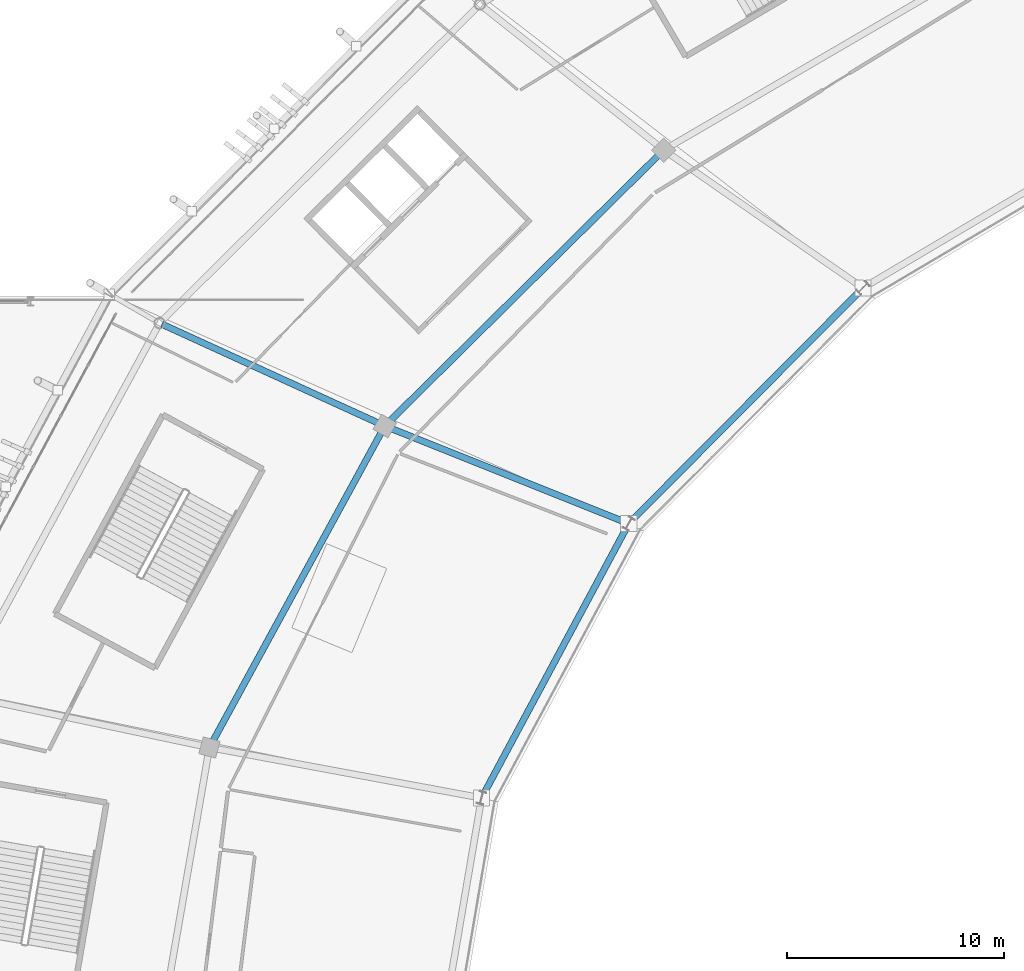
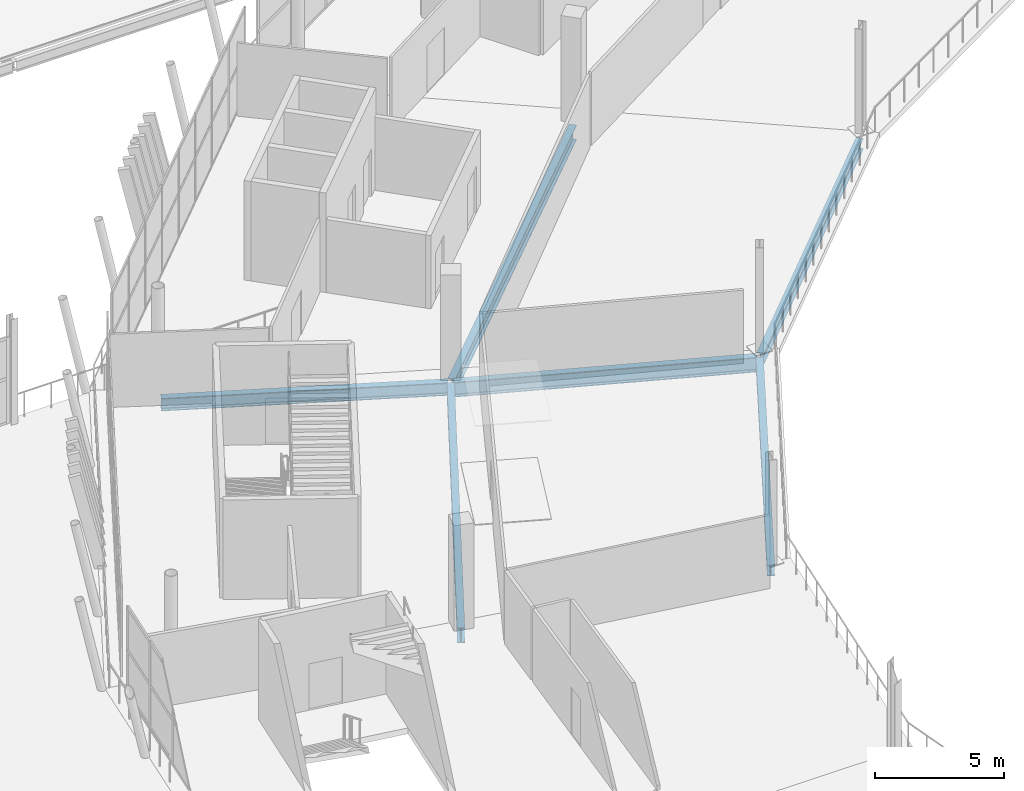
# One storey, part 46 of 179: 6 beams.
"""IFC4 building model written with IfcOpenShell, lengths in metres."""

from ifc_helpers import new_model, si_unit, direction, frame, origin, origin_2d, place, context, subcontext, project, spatial, i_section, extrude, material, material_profile, profile_set, type_object, element, save


model = new_model("IFC4")

# Units and contexts
model_context = context("Model", 3, precision=1e-05, world=origin(), true_north=direction((0.0, 1.0)))
body_context = subcontext(model_context, "Body", "Model", "MODEL_VIEW")
ifc_project = project(units=[si_unit("LENGTHUNIT", "METRE"), si_unit("AREAUNIT", "SQUARE_METRE"), si_unit("VOLUMEUNIT", "CUBIC_METRE"), si_unit("PLANEANGLEUNIT", "RADIAN"), si_unit("MASSUNIT", "GRAM", prefix="KILO")], contexts=[model_context])

# Site, building, storey
site_placement = place(None, origin())
site = spatial("IfcSite", under=ifc_project, at=site_placement, CompositionType="ELEMENT")
building_placement = place(site_placement, origin())
building = spatial("IfcBuilding", under=site, at=building_placement, Name="Zlatoyarsky Gate Stadium", CompositionType="ELEMENT")
storey_placement = place(building_placement, frame((0.0, 0.0, 10.60009765625)))
storey = spatial("IfcBuildingStorey", under=building, at=storey_placement, Name="L02", CompositionType="ELEMENT", Elevation=10.60009765625)

# Beams
ifc_material = material(Name="Steel S355", Category="steel")
ifc_material_profile_1 = material_profile(ifc_material, i_section(OverallWidth=0.300048828125, OverallDepth=0.5, WebThickness=0.014404296875, FlangeThickness=0.028076171875, FilletRadius=0.027099609375, at=origin_2d()), Name="HEB 500")
ifc_profile_set_1 = profile_set([ifc_material_profile_1], Name="Steel S355")
beam_type_1 = type_object("IfcBeamType", Name="STEEL PRIMARY GIRDER HEB 500", PredefinedType="BEAM", material=ifc_profile_set_1)
beam_1_placement = place(storey_placement, frame((62.83203125, 117.0380859375, -0.530029296875), z_axis=(-0.704927331607, -0.709279533861, 0.0), x_axis=(0.709279533861, -0.704927331607, 0.0)))
element("IfcBeam", 1, at=beam_1_placement, inside=storey, type_object=beam_type_1, Name="Beam G-HEB500 BM-L02-CRA-09", PredefinedType="BEAM", context=body_context, shape_type="SweptSolid", body=[
    extrude(i_section(OverallWidth=0.300048828125, OverallDepth=0.5, WebThickness=0.014404296875, FlangeThickness=0.028076171875, FilletRadius=0.027099609375, at=origin_2d()), origin(), (0.0, 0.0, 1.0), 15.08984375),
])
beam_2_placement = place(storey_placement, frame((52.0537109375, 106.144287109375, -0.530029296875), z_axis=(-0.472766984781, -0.881187481812, 0.0), x_axis=(0.881187481812, -0.472766984781, 0.0)))
element("IfcBeam", 2, at=beam_2_placement, inside=storey, type_object=beam_type_1, Name="Beam G-HEB500 BM-L02-CRA-10", PredefinedType="BEAM", context=body_context, shape_type="SweptSolid", body=[
    extrude(i_section(OverallWidth=0.300048828125, OverallDepth=0.5, WebThickness=0.014404296875, FlangeThickness=0.028076171875, FilletRadius=0.027099609375, at=origin_2d()), origin(), (0.0, 0.0, 1.0), 14.12939453125),
])
ifc_material_profile_2 = material_profile(ifc_material, i_section(OverallWidth=0.300048828125, OverallDepth=0.60009765625, WebThickness=0.015380859375, FlangeThickness=0.030029296875, FilletRadius=0.027099609375, at=origin_2d()), Name="HEB 600")
ifc_profile_set_2 = profile_set([ifc_material_profile_2], Name="Steel S355")
beam_type_2 = type_object("IfcBeamType", Name="STEEL PRIMARY GIRDER HEB 600", PredefinedType="BEAM", material=ifc_profile_set_2)
beam_3_placement = place(storey_placement, frame((40.742919921875, 110.7998046875, -0.580078125), z_axis=(-0.909498994842, 0.415706120213, 0.0), x_axis=(-0.415706120213, -0.909498994842, 0.0)))
element("IfcBeam", 3, at=beam_3_placement, inside=storey, type_object=beam_type_2, Name="Beam G-HEB600 BM-L02-RBC-10", PredefinedType="BEAM", context=body_context, shape_type="SweptSolid", body=[
    extrude(i_section(OverallWidth=0.300048828125, OverallDepth=0.60009765625, WebThickness=0.015380859375, FlangeThickness=0.030029296875, FilletRadius=0.027099609375, at=origin_2d()), origin(), (0.0, 0.0, 1.0), 11.186767578125),
])
ifc_material_profile_3 = material_profile(ifc_material, i_section(OverallWidth=0.300048828125, OverallDepth=0.699951171875, WebThickness=0.01708984375, FlangeThickness=0.031982421875, FilletRadius=0.027099609375, at=origin_2d()), Name="HEB 700")
ifc_profile_set_3 = profile_set([ifc_material_profile_3], Name="Steel S355")
beam_type_3 = type_object("IfcBeamType", Name="STEEL PRIMARY GIRDER HEB 700", PredefinedType="BEAM", material=ifc_profile_set_3)
beam_4_placement = place(storey_placement, frame((53.63916015625, 123.402587890625, -0.630126953125), z_axis=(-0.710840510009, -0.703353232259, 0.0), x_axis=(0.703353232259, -0.710840510009, 0.0)))
element("IfcBeam", 4, at=beam_4_placement, inside=storey, type_object=beam_type_3, Name="Beam G-HEB700 BM-L02-CRB-09", PredefinedType="BEAM", context=body_context, shape_type="SweptSolid", body=[
    extrude(i_section(OverallWidth=0.300048828125, OverallDepth=0.699951171875, WebThickness=0.01708984375, FlangeThickness=0.031982421875, FilletRadius=0.027099609375, at=origin_2d()), origin(), (0.0, 0.0, 1.0), 17.868896484375),
])
beam_5_placement = place(storey_placement, frame((51.998779296875, 106.29443359375, -0.630126953125), z_axis=(-0.928564503985, 0.371171068295, 0.0), x_axis=(-0.371171068295, -0.928564503985, 0.0)))
element("IfcBeam", 5, at=beam_5_placement, inside=storey, type_object=beam_type_3, Name="Beam G-HEB700 BM-L02-RAB-10", PredefinedType="BEAM", context=body_context, shape_type="SweptSolid", body=[
    extrude(i_section(OverallWidth=0.300048828125, OverallDepth=0.699951171875, WebThickness=0.01708984375, FlangeThickness=0.031982421875, FilletRadius=0.027099609375, at=origin_2d()), origin(), (0.0, 0.0, 1.0), 11.88427734375),
])
beam_6_placement = place(storey_placement, frame((40.79443359375, 110.644775390625, -0.630126953125), z_axis=(-0.478915800408, -0.877860840976, 0.0), x_axis=(0.877860840976, -0.478915800408, 0.0)))
element("IfcBeam", 6, at=beam_6_placement, inside=storey, type_object=beam_type_3, Name="Beam G-HEB700 BM-L02-CRB-10", PredefinedType="BEAM", context=body_context, shape_type="SweptSolid", body=[
    extrude(i_section(OverallWidth=0.300048828125, OverallDepth=0.699951171875, WebThickness=0.01708984375, FlangeThickness=0.031982421875, FilletRadius=0.027099609375, at=origin_2d()), origin(), (0.0, 0.0, 1.0), 16.656494140625),
])

save(model, "model.ifc")
